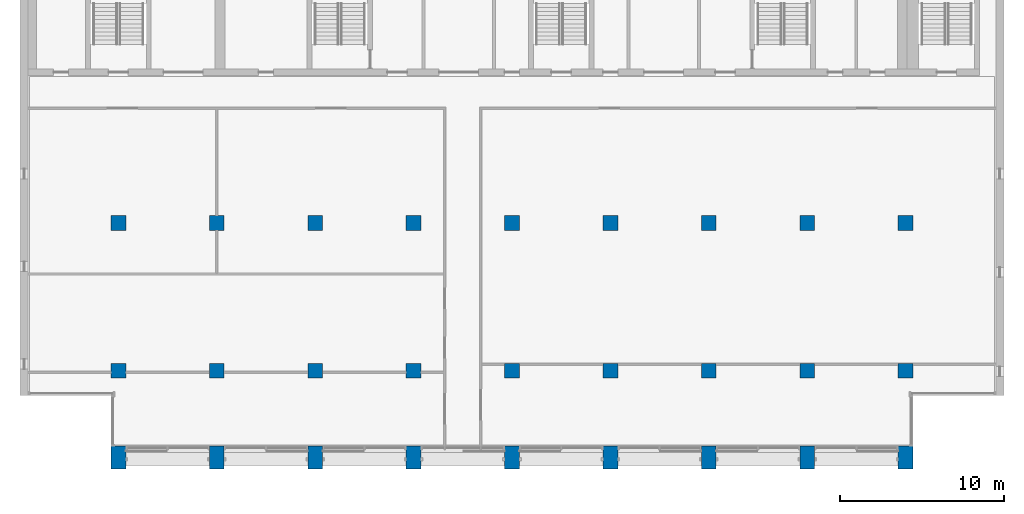
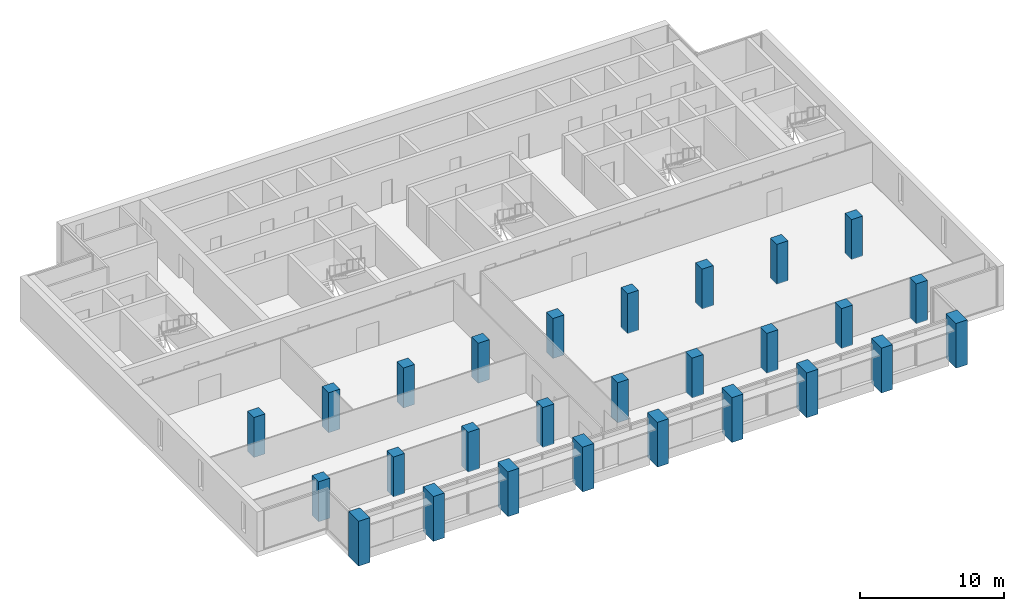
# One storey, part 1 of 14: 27 columns.
"""IFC4 building model written with IfcOpenShell, lengths in metres."""

from ifc_helpers import new_model, si_unit, direction, frame, origin, origin_2d, place, context, subcontext, project, spatial, rectangle, extrude, material, material_profile, profile_set, type_object, element, save


model = new_model("IFC4")

# Units and contexts
model_context = context("Model", 3, precision=1e-05, world=origin(), true_north=direction((0.0, 1.0)))
body_context = subcontext(model_context, "Body", "Model", "MODEL_VIEW")
ifc_project = project(units=[si_unit("LENGTHUNIT", "METRE"), si_unit("AREAUNIT", "SQUARE_METRE"), si_unit("VOLUMEUNIT", "CUBIC_METRE"), si_unit("PLANEANGLEUNIT", "RADIAN"), si_unit("MASSUNIT", "GRAM", prefix="KILO")], contexts=[model_context])

# Site, building, storey
site_placement = place(None, origin())
site = spatial("IfcSite", under=ifc_project, at=site_placement, CompositionType="ELEMENT")
building_placement = place(site_placement, origin())
building = spatial("IfcBuilding", under=site, at=building_placement, Name="Calvaro Tower", CompositionType="ELEMENT")
storey_placement = place(building_placement, frame((0.0, 0.0, 239.35009765625)))
storey = spatial("IfcBuildingStorey", under=building, at=storey_placement, Name="L60", CompositionType="ELEMENT", Elevation=239.35009765625)

# Columns
ifc_material_1 = material(Name="Concrete C40/50", Category="concrete")
ifc_material_profile_1 = material_profile(ifc_material_1, rectangle(XDim=0.89990234375, YDim=0.89990234375, at=origin_2d()), Name="RC 900x900")
ifc_profile_set_1 = profile_set([ifc_material_profile_1], Name="Concrete C40/50")
column_type_1 = type_object("IfcColumnType", Name="Column 900x900 C40/50", PredefinedType="COLUMN", material=ifc_profile_set_1)
for number, where, z_axis, x_axis, name in (
    (1, (12.0, 10.0, 0.0), (0.0, 0.0, 1.0), (1.0, 0.0, 0.0), "Column 3B"),
    (2, (12.0, 19.0, 0.0), (0.0, 0.0, 1.0), (1.0, 0.0, 0.0), "Column 3C"),
    (3, (18.0, 10.0, 0.0), (0.0, 0.0, 1.0), (1.0, 0.0, 0.0), "Column 4B"),
    (4, (18.0, 19.0, 0.0), (0.0, 0.0, 1.0), (1.0, 0.0, 0.0), "Column 4C"),
    (5, (24.0, 10.0, 0.0), (0.0, 0.0, 1.0), (1.0, 0.0, 0.0), "Column 5B"),
    (6, (24.0, 19.0, 0.0), (0.0, 0.0, 1.0), (1.0, 0.0, 0.0), "Column 5C"),
    (7, (30.0, 10.0, 0.0), (0.0, 0.0, 1.0), (1.0, 0.0, 0.0), "Column 6B"),
    (8, (30.0, 19.0, 0.0), (0.0, 0.0, 1.0), (1.0, 0.0, 0.0), "Column 6C"),
    (9, (36.0, 10.0, 0.0), (0.0, 0.0, 1.0), (1.0, 0.0, 0.0), "Column 7B"),
    (10, (36.0, 19.0, 0.0), (0.0, 0.0, 1.0), (1.0, 0.0, 0.0), "Column 7C"),
    (11, (42.0, 10.0, 0.0), (0.0, 0.0, 1.0), (1.0, 0.0, 0.0), "Column 8B"),
    (12, (42.0, 19.0, 0.0), (0.0, 0.0, 1.0), (1.0, 0.0, 0.0), "Column 8C"),
    (13, (48.0, 10.0, 0.0), (0.0, 0.0, 1.0), (1.0, 0.0, 0.0), "Column 9B"),
    (14, (48.0, 19.0, 0.0), (0.0, 0.0, 1.0), (1.0, 0.0, 0.0), "Column 9C"),
    (15, (54.0, 10.0, 0.0), (0.0, 0.0, 1.0), (1.0, 0.0, 0.0), "Column 10B"),
    (16, (54.0, 19.0, 0.0), (0.0, 0.0, 1.0), (1.0, 0.0, 0.0), "Column 10C"),
    (17, (60.0, 10.0, 0.0), (0.0, 0.0, 1.0), (1.0, 0.0, 0.0), "Column 11B"),
    (18, (60.0, 19.0, 0.0), (0.0, 0.0, 1.0), (1.0, 0.0, 0.0), "Column 11C"),
):
    element("IfcColumn", number, at=place(storey_placement, frame(where, z_axis=z_axis, x_axis=x_axis)), inside=storey, type_object=column_type_1, Name=name, PredefinedType="COLUMN", context=body_context, shape_type="SweptSolid", body=[
        extrude(rectangle(XDim=0.89990234375, YDim=0.89990234375, at=origin_2d()), origin(), (0.0, 0.0, 1.0), 3.39990234375),
    ])
ifc_material_2 = material(Name="Concrete C40/50", Category="concrete")
ifc_material_profile_2 = material_profile(ifc_material_2, rectangle(XDim=0.89990234375, YDim=1.39990234375, at=origin_2d()), Name="RC 900x1400")
ifc_profile_set_2 = profile_set([ifc_material_profile_2], Name="Concrete C40/50")
column_type_2 = type_object("IfcColumnType", Name="Pier 900x1400 C40/50", PredefinedType="COLUMN", material=ifc_profile_set_2)
for number, where, z_axis, x_axis, name in (
    (19, (12.0, 4.699951171875, -0.400146484375), (0.0, 0.0, 1.0), (1.0, 0.0, 0.0), "South pier 3"),
    (20, (18.0, 4.699951171875, -0.400146484375), (0.0, 0.0, 1.0), (1.0, 0.0, 0.0), "South pier 4"),
    (21, (24.0, 4.699951171875, -0.400146484375), (0.0, 0.0, 1.0), (1.0, 0.0, 0.0), "South pier 5"),
    (22, (30.0, 4.699951171875, -0.400146484375), (0.0, 0.0, 1.0), (1.0, 0.0, 0.0), "South pier 6"),
    (23, (36.0, 4.699951171875, -0.400146484375), (0.0, 0.0, 1.0), (1.0, 0.0, 0.0), "South pier 7"),
    (24, (42.0, 4.699951171875, -0.400146484375), (0.0, 0.0, 1.0), (1.0, 0.0, 0.0), "South pier 8"),
    (25, (48.0, 4.699951171875, -0.400146484375), (0.0, 0.0, 1.0), (1.0, 0.0, 0.0), "South pier 9"),
    (26, (54.0, 4.699951171875, -0.400146484375), (0.0, 0.0, 1.0), (1.0, 0.0, 0.0), "South pier 10"),
    (27, (60.0, 4.699951171875, -0.400146484375), (0.0, 0.0, 1.0), (1.0, 0.0, 0.0), "South pier 11"),
):
    element("IfcColumn", number, at=place(storey_placement, frame(where, z_axis=z_axis, x_axis=x_axis)), inside=storey, type_object=column_type_2, Name=name, PredefinedType="COLUMN", context=body_context, shape_type="SweptSolid", body=[
        extrude(rectangle(XDim=0.89990234375, YDim=1.39990234375, at=origin_2d()), origin(), (0.0, 0.0, 1.0), 3.800048828125),
    ])

save(model, "model.ifc")
